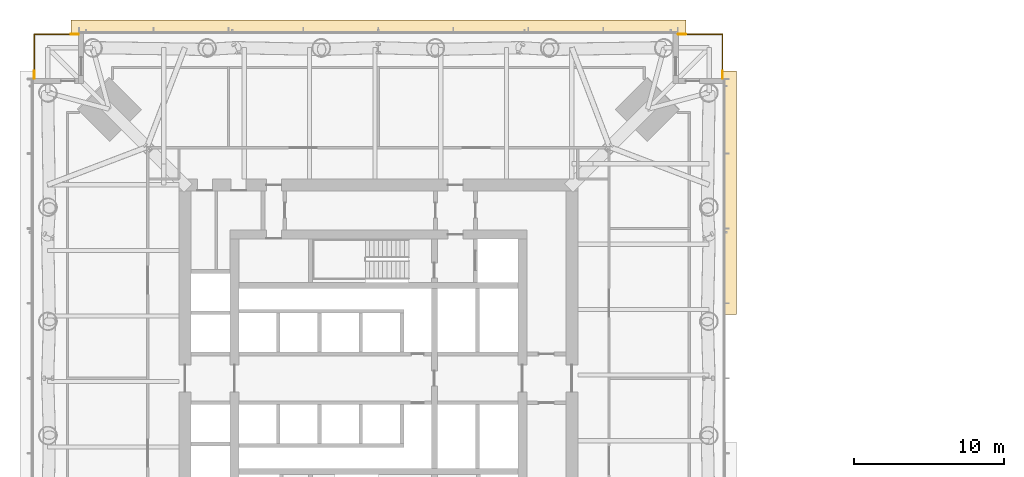
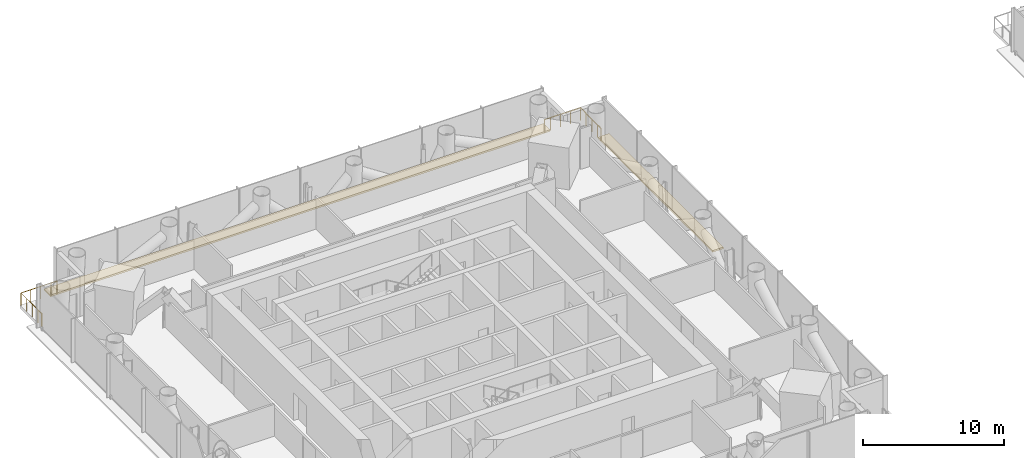
# One storey, part 27 of 28: 6 railings, 2 coverings.
"""IFC4 building model written with IfcOpenShell, lengths in metres."""

from ifc_helpers import new_model, si_unit, direction, frame, origin, origin_2d, place, context, subcontext, project, spatial, polyline, circle, outline, extrude, material, layer, layer_set, type_object, element, save


model = new_model("IFC4")

# Units and contexts
model_context = context("Model", 3, precision=1e-05, world=origin(), true_north=direction((0.0, 1.0)))
body_context = subcontext(model_context, "Body", "Model", "MODEL_VIEW")
ifc_project = project(units=[si_unit("LENGTHUNIT", "METRE"), si_unit("AREAUNIT", "SQUARE_METRE"), si_unit("VOLUMEUNIT", "CUBIC_METRE"), si_unit("PLANEANGLEUNIT", "RADIAN"), si_unit("MASSUNIT", "GRAM", prefix="KILO")], contexts=[model_context])

# Site, building, storey
site_placement = place(None, origin())
site = spatial("IfcSite", under=ifc_project, at=site_placement, CompositionType="ELEMENT")
building_placement = place(site_placement, origin())
building = spatial("IfcBuilding", under=site, at=building_placement, Name="Ostroluk Exchange", CompositionType="ELEMENT")
storey_placement = place(building_placement, frame((0.0, 0.0, 81.800048828125)))
storey = spatial("IfcBuildingStorey", under=building, at=storey_placement, Name="L20", CompositionType="ELEMENT", Elevation=81.800048828125)

# Railings
ifc_material_1 = material(Name="Stainless steel", Category="steel")
railing_type_1 = type_object("IfcRailingType", Name="Guard 1100 stainless steel", PredefinedType="GUARDRAIL", material=ifc_material_1)
railing_1_placement = place(storey_placement, frame((65.5, 68.949951171875, 0.0)))
element("IfcRailing", 1, at=railing_1_placement, inside=storey, type_object=railing_type_1, Name="Office tower NE balcony guard L20", PredefinedType="GUARDRAIL", context=body_context, shape_type="SweptSolid", body=[
    extrude(circle(Radius=0.02392578125, at=origin_2d()), frame((0.0, 0.0, 1.076171875), z_axis=(1.0, 0.0, 0.0), x_axis=(0.0, 1.0, 0.0)), (0.0, 0.0, 1.0), 2.449951171875),
    extrude(circle(Radius=0.02392578125, at=origin_2d()), frame((2.449951171875, 0.0, 1.076171875), z_axis=(0.0, -1.0, 0.0), x_axis=(1.0, 0.0, 0.0)), (0.0, 0.0, 1.0), 2.449951171875),
    extrude(circle(Radius=0.02099609375, at=origin_2d()), origin(), (0.0, 0.0, 1.0), 1.052001953125),
    extrude(circle(Radius=0.02099609375, at=origin_2d()), frame((0.816650390625, 0.0, 0.0)), (0.0, 0.0, 1.0), 1.052001953125),
    extrude(circle(Radius=0.02099609375, at=origin_2d()), frame((1.63330078125, 0.0, 0.0)), (0.0, 0.0, 1.0), 1.052001953125),
    extrude(circle(Radius=0.02099609375, at=origin_2d()), frame((2.449951171875, 0.0, 0.0)), (0.0, 0.0, 1.0), 1.052001953125),
    extrude(circle(Radius=0.02099609375, at=origin_2d()), frame((2.449951171875, -0.816650390625, 0.0)), (0.0, 0.0, 1.0), 1.052001953125),
    extrude(circle(Radius=0.02099609375, at=origin_2d()), frame((2.449951171875, -1.63330078125, 0.0)), (0.0, 0.0, 1.0), 1.052001953125),
    extrude(circle(Radius=0.02099609375, at=origin_2d()), frame((2.449951171875, -2.449951171875, 0.0)), (0.0, 0.0, 1.0), 1.052001953125),
])
railing_2_placement = place(storey_placement, frame((24.5, 68.949951171875, 0.0)))
element("IfcRailing", 2, at=railing_2_placement, inside=storey, type_object=railing_type_1, Name="Office tower NW balcony guard L20", PredefinedType="GUARDRAIL", context=body_context, shape_type="SweptSolid", body=[
    extrude(circle(Radius=0.02392578125, at=origin_2d()), frame((0.0, 0.0, 1.076171875), z_axis=(-1.0, 0.0, 0.0), x_axis=(0.0, -1.0, 0.0)), (0.0, 0.0, 1.0), 2.449951171875),
    extrude(circle(Radius=0.02392578125, at=origin_2d()), frame((-2.449951171875, 0.0, 1.076171875), z_axis=(0.0, -1.0, 0.0), x_axis=(1.0, 0.0, 0.0)), (0.0, 0.0, 1.0), 2.449951171875),
    extrude(circle(Radius=0.02099609375, at=origin_2d()), origin(), (0.0, 0.0, 1.0), 1.052001953125),
    extrude(circle(Radius=0.02099609375, at=origin_2d()), frame((-0.816650390625, 0.0, 0.0)), (0.0, 0.0, 1.0), 1.052001953125),
    extrude(circle(Radius=0.02099609375, at=origin_2d()), frame((-1.63330078125, 0.0, 0.0)), (0.0, 0.0, 1.0), 1.052001953125),
    extrude(circle(Radius=0.02099609375, at=origin_2d()), frame((-2.449951171875, 0.0, 0.0)), (0.0, 0.0, 1.0), 1.052001953125),
    extrude(circle(Radius=0.02099609375, at=origin_2d()), frame((-2.449951171875, -0.816650390625, 0.0)), (0.0, 0.0, 1.0), 1.052001953125),
    extrude(circle(Radius=0.02099609375, at=origin_2d()), frame((-2.449951171875, -1.63330078125, 0.0)), (0.0, 0.0, 1.0), 1.052001953125),
    extrude(circle(Radius=0.02099609375, at=origin_2d()), frame((-2.449951171875, -2.449951171875, 0.0)), (0.0, 0.0, 1.0), 1.052001953125),
])
ifc_material_2 = material(Name="Stainless steel", Category="steel")
railing_type_2 = type_object("IfcRailingType", Name="Lockable maintenance gate 1100", PredefinedType="GUARDRAIL", material=ifc_material_2)
railing_3_placement = place(storey_placement, frame((65.0, 68.949951171875, 0.0)))
element("IfcRailing", 3, at=railing_3_placement, inside=storey, type_object=railing_type_2, Name="Lockable maintenance gate T1 L20 NE", PredefinedType="GUARDRAIL", context=body_context, shape_type="SweptSolid", body=[
    extrude(circle(Radius=0.02392578125, at=origin_2d()), frame((0.0, 0.0, 1.076171875), z_axis=(1.0, 0.0, 0.0), x_axis=(0.0, 1.0, 0.0)), (0.0, 0.0, 1.0), 0.5),
    extrude(circle(Radius=0.02099609375, at=origin_2d()), origin(), (0.0, 0.0, 1.0), 1.052001953125),
    extrude(circle(Radius=0.02099609375, at=origin_2d()), frame((0.5, 0.0, 0.0)), (0.0, 0.0, 1.0), 1.052001953125),
])
railing_4_placement = place(storey_placement, frame((67.949951171875, 66.5, 0.0)))
element("IfcRailing", 4, at=railing_4_placement, inside=storey, type_object=railing_type_2, Name="Lockable maintenance gate T1 L20 NE", PredefinedType="GUARDRAIL", context=body_context, shape_type="SweptSolid", body=[
    extrude(circle(Radius=0.02392578125, at=origin_2d()), frame((0.0, 0.0, 1.076171875), z_axis=(0.0, -1.0, 0.0), x_axis=(1.0, 0.0, 0.0)), (0.0, 0.0, 1.0), 0.5),
    extrude(circle(Radius=0.02099609375, at=origin_2d()), origin(), (0.0, 0.0, 1.0), 1.052001953125),
    extrude(circle(Radius=0.02099609375, at=origin_2d()), frame((0.0, -0.5, 0.0)), (0.0, 0.0, 1.0), 1.052001953125),
])
railing_5_placement = place(storey_placement, frame((25.0, 68.949951171875, 0.0)))
element("IfcRailing", 5, at=railing_5_placement, inside=storey, type_object=railing_type_2, Name="Lockable maintenance gate T1 L20 NW", PredefinedType="GUARDRAIL", context=body_context, shape_type="SweptSolid", body=[
    extrude(circle(Radius=0.02392578125, at=origin_2d()), frame((0.0, 0.0, 1.076171875), z_axis=(-1.0, 0.0, 0.0), x_axis=(0.0, -1.0, 0.0)), (0.0, 0.0, 1.0), 0.5),
    extrude(circle(Radius=0.02099609375, at=origin_2d()), origin(), (0.0, 0.0, 1.0), 1.052001953125),
    extrude(circle(Radius=0.02099609375, at=origin_2d()), frame((-0.5, 0.0, 0.0)), (0.0, 0.0, 1.0), 1.052001953125),
])
railing_6_placement = place(storey_placement, frame((22.050048828125, 66.5, 0.0)))
element("IfcRailing", 6, at=railing_6_placement, inside=storey, type_object=railing_type_2, Name="Lockable maintenance gate T1 L20 NW", PredefinedType="GUARDRAIL", context=body_context, shape_type="SweptSolid", body=[
    extrude(circle(Radius=0.02392578125, at=origin_2d()), frame((0.0, 0.0, 1.076171875), z_axis=(0.0, -1.0, 0.0), x_axis=(1.0, 0.0, 0.0)), (0.0, 0.0, 1.0), 0.5),
    extrude(circle(Radius=0.02099609375, at=origin_2d()), origin(), (0.0, 0.0, 1.0), 1.052001953125),
    extrude(circle(Radius=0.02099609375, at=origin_2d()), frame((0.0, -0.5, 0.0)), (0.0, 0.0, 1.0), 1.052001953125),
])

# Coverings
ifc_material_3 = material(Name="Insulated steel roof deck with membrane, laid to falls, aluminium coping", Category="steel")
ifc_layer = layer(ifc_material_3, 0.14990234375)
ifc_layer_set = layer_set([ifc_layer], Name="Setback maintenance roof")
covering_type = type_object("IfcCoveringType", Name="Setback maintenance roof", PredefinedType="ROOFING", material=ifc_layer_set)
covering_1_placement = place(storey_placement, frame((0.0, 0.0, -0.150146484375)))
element("IfcCovering", 7, at=covering_1_placement, inside=storey, type_object=covering_type, Name="Maintenance roof, setback L20 east", PredefinedType="ROOFING", context=body_context, shape_type="SweptSolid", body=[
    extrude(outline(polyline([(68.0, 66.5), (68.89990234375, 66.5), (68.89990234375, 50.25), (68.0, 50.25), (68.0, 66.5)])), origin(), (0.0, 0.0, 1.0), 0.150146484375),
])
covering_2_placement = place(storey_placement, frame((0.0, 0.0, -0.150146484375)))
element("IfcCovering", 8, at=covering_2_placement, inside=storey, type_object=covering_type, Name="Maintenance roof, setback L20 north", PredefinedType="ROOFING", context=body_context, shape_type="SweptSolid", body=[
    extrude(outline(polyline([(24.5, 69.89990234375), (65.5, 69.89990234375), (65.5, 69.0), (24.5, 69.0), (24.5, 69.89990234375)])), origin(), (0.0, 0.0, 1.0), 0.150146484375),
])

save(model, "model.ifc")
